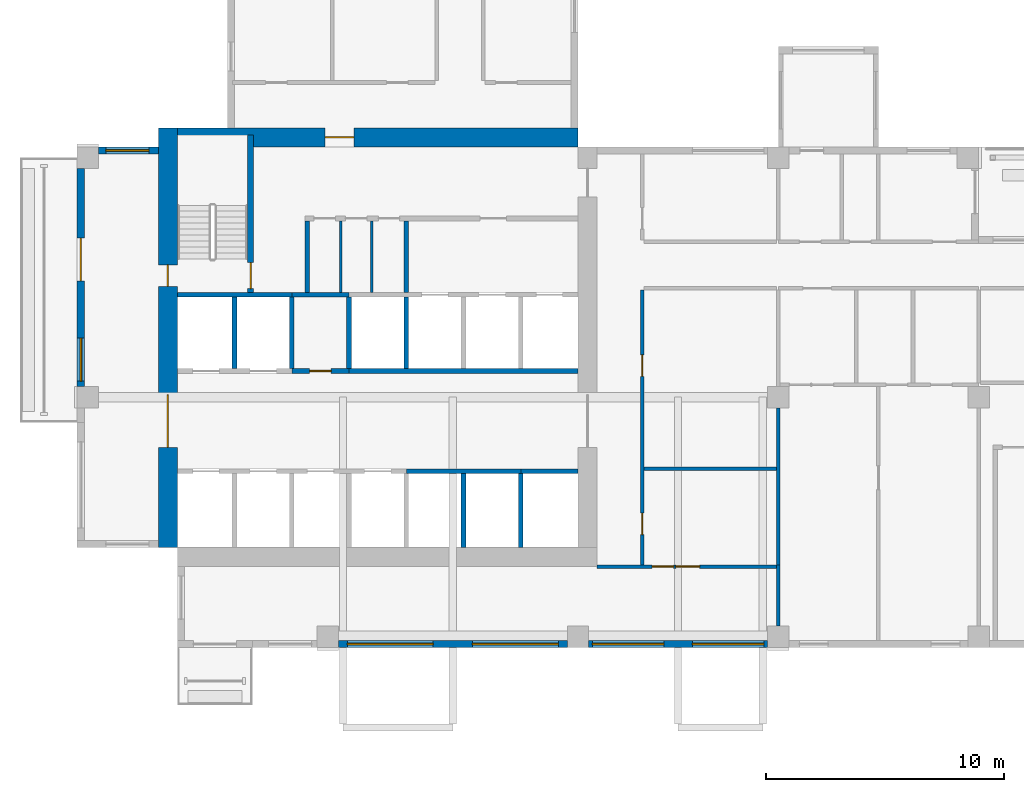
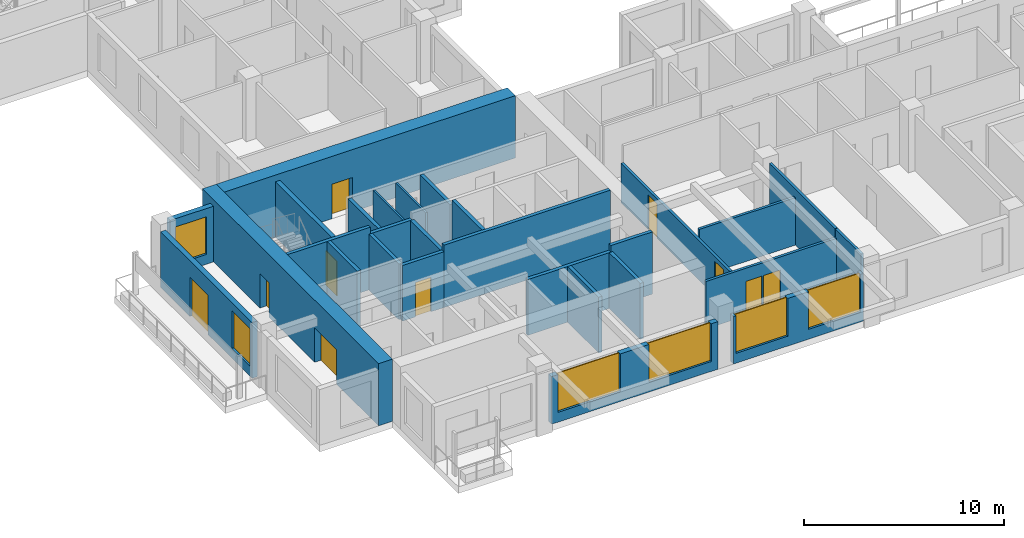
# One storey, part 4 of 15: 28 walls, 10 doors, 6 windows, 16 openings.
"""IFC4 building model written with IfcOpenShell, lengths in metres."""

from ifc_helpers import new_model, si_unit, direction, frame, frame_2d, origin, place, context, subcontext, project, spatial, rectangle, extrude, source, transform, mapped, material, layer, layer_set, type_object, element, fill, save


model = new_model("IFC4")

# Units and contexts
model_context = context("Model", 3, precision=1e-05, world=origin(), true_north=direction((0.0, 1.0)))
body_context = subcontext(model_context, "Body", "Model", "MODEL_VIEW")
ifc_project = project(units=[si_unit("LENGTHUNIT", "METRE"), si_unit("AREAUNIT", "SQUARE_METRE"), si_unit("VOLUMEUNIT", "CUBIC_METRE"), si_unit("PLANEANGLEUNIT", "RADIAN"), si_unit("MASSUNIT", "GRAM", prefix="KILO")], contexts=[model_context])

# Site, building, storey
site_placement = place(None, origin())
site = spatial("IfcSite", under=ifc_project, at=site_placement, CompositionType="ELEMENT")
building_placement = place(site_placement, origin())
building = spatial("IfcBuilding", under=site, at=building_placement, Name="Aurelian Terraces", CompositionType="ELEMENT")
storey_placement = place(building_placement, frame((0.0, 0.0, 177.8)))
storey = spatial("IfcBuildingStorey", under=building, at=storey_placement, Name="L38", CompositionType="ELEMENT", Elevation=177.8)

# Wall, openings, doors
ifc_material_1 = material(Name="Concrete fc' 70 MPa", Category="concrete")
ifc_layer_1 = layer(ifc_material_1, 0.8)
ifc_layer_set_1 = layer_set([ifc_layer_1], Name="CORE WALL 800 FC70")
wall_type_1 = type_object("IfcWallType", Name="CORE WALL 800 FC70", PredefinedType="SHEAR", material=ifc_layer_set_1)
wall_1_placement = place(storey_placement, frame((3.8, 4.2, 0.0), z_axis=(0.0, 0.0, 1.0), x_axis=(0.0, 1.0, 0.0)))
wall_1 = element("IfcWall", 1, at=wall_1_placement, inside=storey, type_object=wall_type_1, Name="Core wall W L38", PredefinedType="SHEAR", context=body_context, shape_type="SweptSolid", body=[
    extrude(rectangle(XDim=17.6, YDim=0.8, at=frame_2d((8.8, 0.0))), origin(), (0.0, 0.0, 1.0), 3.8),
])
shared_shape_1 = source(origin(), body_context, "Body", "SweptSolid", [
    extrude(rectangle(XDim=2.2, YDim=2.1, at=frame_2d((1.1, 1.05))), frame((0.0, 0.41, 0.0), z_axis=(0.0, -1.0, 0.0), x_axis=(1.0, 0.0, 0.0)), (0.0, 0.0, 1.0), 0.82),
])
opening_1_placement = place(wall_1_placement, frame((4.2, 0.0, 0.0)))
opening_1 = element("IfcOpeningElement", 2, at=opening_1_placement, cuts=wall_1, Name="Opening 64122", PredefinedType="OPENING", context=body_context, shape_type="MappedRepresentation", body=[
    mapped(shared_shape_1, transform((0.0, 0.0, 0.0), scale=1.0)),
])
opening_2_placement = place(wall_1_placement, frame((10.95, 0.0, 0.0)))
opening_2 = element("IfcOpeningElement", 3, at=opening_2_placement, cuts=wall_1, Name="Opening 64125", PredefinedType="OPENING", context=body_context, shape_type="SweptSolid", body=[
    extrude(rectangle(XDim=0.9, YDim=2.1, at=frame_2d((0.45, 1.05))), frame((0.0, 0.41, 0.0), z_axis=(0.0, -1.0, 0.0), x_axis=(1.0, 0.0, 0.0)), (0.0, 0.0, 1.0), 0.82),
])
ifc_material_2 = material(Name="Steel door leaf", Category="steel")
door_type_1 = type_object("IfcDoorType", Name="Core service door 900x2100 right", OperationType="SINGLE_SWING_RIGHT", PredefinedType="DOOR", material=ifc_material_2)
shared_shape_2 = source(origin(), body_context, "Body", "SweptSolid", [
    extrude(rectangle(XDim=0.9, YDim=2.1, at=frame_2d((0.45, 1.05))), frame((0.0, 0.025, 0.0), z_axis=(0.0, -1.0, 0.0), x_axis=(1.0, 0.0, 0.0)), (0.0, 0.0, 1.0), 0.05),
])
door_1_placement = place(opening_2_placement, origin())
door_1 = element("IfcDoor", 4, at=door_1_placement, inside=storey, type_object=door_type_1, Name="Core door 64125", OperationType="SINGLE_SWING_RIGHT", OverallHeight=2.1, OverallWidth=0.9, PredefinedType="DOOR", context=body_context, shape_type="MappedRepresentation", body=[
    mapped(shared_shape_2, transform((0.0, 0.0, 0.0), scale=1.0)),
])
fill(opening_2, door_1)
door_type_2 = type_object("IfcDoorType", Name="Core double door 2200x2100", OperationType="DOUBLE_DOOR_SINGLE_SWING", PredefinedType="DOOR", material=ifc_material_2)
shared_shape_3 = source(origin(), body_context, "Body", "SweptSolid", [
    extrude(rectangle(XDim=2.2, YDim=2.1, at=frame_2d((1.1, 1.05))), frame((0.0, 0.025, 0.0), z_axis=(0.0, -1.0, 0.0), x_axis=(1.0, 0.0, 0.0)), (0.0, 0.0, 1.0), 0.05),
])
door_2_placement = place(opening_1_placement, origin())
door_2 = element("IfcDoor", 5, at=door_2_placement, inside=storey, type_object=door_type_2, Name="Core door 64122", OperationType="DOUBLE_DOOR_SINGLE_SWING", OverallHeight=2.1, OverallWidth=2.2, PredefinedType="DOOR", context=body_context, shape_type="MappedRepresentation", body=[
    mapped(shared_shape_3, transform((0.0, 0.0, 0.0), scale=1.0)),
])
fill(opening_1, door_2)

# Walls
ifc_material_3 = material(Name="Gypsum board on steel studs", Category="steel")
ifc_layer_2 = layer(ifc_material_3, 0.1)
ifc_layer_set_2 = layer_set([ifc_layer_2], Name="Core partition 100")
wall_type_2 = type_object("IfcWallType", Name="Core partition 100", PredefinedType="PARTITIONING", material=ifc_layer_set_2)
wall_2_placement = place(storey_placement, frame((11.05, 14.9, 0.0), z_axis=(0.0, 0.0, 1.0), x_axis=(0.0, 1.0, 0.0)))
element("IfcWall", 6, at=wall_2_placement, inside=storey, type_object=wall_type_2, Name="L38 core wall CP-SV1", PredefinedType="PARTITIONING", context=body_context, shape_type="SweptSolid", body=[
    extrude(rectangle(XDim=3.0, YDim=0.1, at=frame_2d((1.5, 0.0))), origin(), (0.0, 0.0, 1.0), 3.4),
])
ifc_layer_3 = layer(ifc_material_3, 0.2)
ifc_layer_set_3 = layer_set([ifc_layer_3], Name="Core partition 200")
wall_type_3 = type_object("IfcWallType", Name="Core partition 200", PredefinedType="PARTITIONING", material=ifc_layer_set_3)
wall_3_placement = place(storey_placement, frame((9.65, 14.9, 0.0), z_axis=(0.0, 0.0, 1.0), x_axis=(0.0, 1.0, 0.0)))
element("IfcWall", 7, at=wall_3_placement, inside=storey, type_object=wall_type_3, Name="L38 core wall CP-VEST", PredefinedType="PARTITIONING", context=body_context, shape_type="SweptSolid", body=[
    extrude(rectangle(XDim=3.0, YDim=0.2, at=frame_2d((1.5, 0.0))), origin(), (0.0, 0.0, 1.0), 3.4),
])

# Wall, openings, windows
ifc_material_4 = material(Name="Terracotta rainscreen cladding", Category="masonry")
ifc_layer_4 = layer(ifc_material_4, 0.3)
ifc_layer_set_4 = layer_set([ifc_layer_4], Name="EW-300")
wall_type_4 = type_object("IfcWallType", Name="EW-300", PredefinedType="STANDARD", material=ifc_layer_set_4)
wall_4_placement = place(storey_placement, frame((10.95, 0.15, 0.0), z_axis=(0.0, 0.0, 1.0), x_axis=(1.0, 0.0, 0.0)))
wall_4 = element("IfcWall", 8, at=wall_4_placement, inside=storey, type_object=wall_type_4, Name="External wall L38 F01.3", PredefinedType="STANDARD", context=body_context, shape_type="SweptSolid", body=[
    extrude(rectangle(XDim=9.6, YDim=0.3, at=frame_2d((4.8, 0.0))), origin(), (0.0, 0.0, 1.0), 2.9),
])
opening_3_placement = place(wall_4_placement, frame((0.375, 0.0, 0.6)))
opening_3 = element("IfcOpeningElement", 9, at=opening_3_placement, cuts=wall_4, Name="Opening W3623", PredefinedType="OPENING", context=body_context, shape_type="SweptSolid", body=[
    extrude(rectangle(XDim=3.6, YDim=2.3, at=frame_2d((1.8, 1.15))), frame((0.0, 0.16, 0.0), z_axis=(0.0, -1.0, 0.0), x_axis=(1.0, 0.0, 0.0)), (0.0, 0.0, 1.0), 0.32),
])
shared_shape_4 = source(origin(), body_context, "Body", "SweptSolid", [
    extrude(rectangle(XDim=3.6, YDim=2.3, at=frame_2d((1.8, 1.15))), frame((0.0, 0.16, 0.0), z_axis=(0.0, -1.0, 0.0), x_axis=(1.0, 0.0, 0.0)), (0.0, 0.0, 1.0), 0.32),
])
opening_4_placement = place(wall_4_placement, frame((5.625, 0.0, 0.6)))
opening_4 = element("IfcOpeningElement", 10, at=opening_4_placement, cuts=wall_4, Name="Opening W3623", PredefinedType="OPENING", context=body_context, shape_type="MappedRepresentation", body=[
    mapped(shared_shape_4, transform((0.0, 0.0, 0.0), scale=1.0)),
])
ifc_material_5 = material(Name="Clear glazing", Category="glass")
window_type_1 = type_object("IfcWindowType", Name="W-3600x2300", PartitioningType="SINGLE_PANEL", PredefinedType="WINDOW", material=ifc_material_5)
window_1_placement = place(opening_3_placement, origin())
window_1 = element("IfcWindow", 11, at=window_1_placement, inside=storey, type_object=window_type_1, Name="Window L38 L38-F01-03-0", OverallHeight=2.3, OverallWidth=3.6, PartitioningType="SINGLE_PANEL", PredefinedType="WINDOW", context=body_context, shape_type="SweptSolid", body=[
    extrude(rectangle(XDim=3.6, YDim=2.3, at=frame_2d((1.8, 1.15))), frame((0.0, 0.03, 0.0), z_axis=(0.0, -1.0, 0.0), x_axis=(1.0, 0.0, 0.0)), (0.0, 0.0, 1.0), 0.06),
])
fill(opening_3, window_1)
shared_shape_5 = source(origin(), body_context, "Body", "SweptSolid", [
    extrude(rectangle(XDim=3.6, YDim=2.3, at=frame_2d((1.8, 1.15))), frame((0.0, 0.03, 0.0), z_axis=(0.0, -1.0, 0.0), x_axis=(1.0, 0.0, 0.0)), (0.0, 0.0, 1.0), 0.06),
])
window_2_placement = place(opening_4_placement, origin())
window_2 = element("IfcWindow", 12, at=window_2_placement, inside=storey, type_object=window_type_1, Name="Window L38 L38-F01-03-1", OverallHeight=2.3, OverallWidth=3.6, PartitioningType="SINGLE_PANEL", PredefinedType="WINDOW", context=body_context, shape_type="MappedRepresentation", body=[
    mapped(shared_shape_5, transform((0.0, 0.0, 0.0), scale=1.0)),
])
fill(opening_4, window_2)

wall_5_placement = place(storey_placement, frame((21.45, 0.15, 0.0), z_axis=(0.0, 0.0, 1.0), x_axis=(1.0, 0.0, 0.0)))
wall_5 = element("IfcWall", 13, at=wall_5_placement, inside=storey, type_object=wall_type_4, Name="External wall L38 F01.4", PredefinedType="STANDARD", context=body_context, shape_type="SweptSolid", body=[
    extrude(rectangle(XDim=7.5, YDim=0.3, at=frame_2d((3.75, 0.0))), origin(), (0.0, 0.0, 1.0), 2.9),
])
opening_5_placement = place(wall_5_placement, frame((0.15, 0.0, 0.6)))
opening_5 = element("IfcOpeningElement", 14, at=opening_5_placement, cuts=wall_5, Name="Opening W3023", PredefinedType="OPENING", context=body_context, shape_type="SweptSolid", body=[
    extrude(rectangle(XDim=3.0, YDim=2.3, at=frame_2d((1.5, 1.15))), frame((0.0, 0.16, 0.0), z_axis=(0.0, -1.0, 0.0), x_axis=(1.0, 0.0, 0.0)), (0.0, 0.0, 1.0), 0.32),
])
shared_shape_6 = source(origin(), body_context, "Body", "SweptSolid", [
    extrude(rectangle(XDim=3.0, YDim=2.3, at=frame_2d((1.5, 1.15))), frame((0.0, 0.16, 0.0), z_axis=(0.0, -1.0, 0.0), x_axis=(1.0, 0.0, 0.0)), (0.0, 0.0, 1.0), 0.32),
])
opening_6_placement = place(wall_5_placement, frame((4.35, 0.0, 0.6)))
opening_6 = element("IfcOpeningElement", 15, at=opening_6_placement, cuts=wall_5, Name="Opening W3023", PredefinedType="OPENING", context=body_context, shape_type="MappedRepresentation", body=[
    mapped(shared_shape_6, transform((0.0, 0.0, 0.0), scale=1.0)),
])
window_type_2 = type_object("IfcWindowType", Name="W-3000x2300", PartitioningType="SINGLE_PANEL", PredefinedType="WINDOW", material=ifc_material_5)
window_3_placement = place(opening_5_placement, origin())
window_3 = element("IfcWindow", 16, at=window_3_placement, inside=storey, type_object=window_type_2, Name="Window L38 L38-F01-04-0", OverallHeight=2.3, OverallWidth=3.0, PartitioningType="SINGLE_PANEL", PredefinedType="WINDOW", context=body_context, shape_type="SweptSolid", body=[
    extrude(rectangle(XDim=3.0, YDim=2.3, at=frame_2d((1.5, 1.15))), frame((0.0, 0.03, 0.0), z_axis=(0.0, -1.0, 0.0), x_axis=(1.0, 0.0, 0.0)), (0.0, 0.0, 1.0), 0.06),
])
fill(opening_5, window_3)
shared_shape_7 = source(origin(), body_context, "Body", "SweptSolid", [
    extrude(rectangle(XDim=3.0, YDim=2.3, at=frame_2d((1.5, 1.15))), frame((0.0, 0.03, 0.0), z_axis=(0.0, -1.0, 0.0), x_axis=(1.0, 0.0, 0.0)), (0.0, 0.0, 1.0), 0.06),
])
window_4_placement = place(opening_6_placement, origin())
window_4 = element("IfcWindow", 17, at=window_4_placement, inside=storey, type_object=window_type_2, Name="Window L38 L38-F01-04-1", OverallHeight=2.3, OverallWidth=3.0, PartitioningType="SINGLE_PANEL", PredefinedType="WINDOW", context=body_context, shape_type="MappedRepresentation", body=[
    mapped(shared_shape_7, transform((0.0, 0.0, 0.0), scale=1.0)),
])
fill(opening_6, window_4)

# Wall, opening, window
wall_6_placement = place(storey_placement, frame((3.4, 20.85, 0.0), z_axis=(0.0, 0.0, 1.0), x_axis=(-1.0, 0.0, 0.0)))
wall_6 = element("IfcWall", 18, at=wall_6_placement, inside=storey, type_object=wall_type_4, Name="External wall L38 F19.34", PredefinedType="STANDARD", context=body_context, shape_type="SweptSolid", body=[
    extrude(rectangle(XDim=2.5, YDim=0.3, at=frame_2d((1.25, 0.0))), origin(), (0.0, 0.0, 1.0), 3.4),
])
shared_shape_8 = source(origin(), body_context, "Body", "SweptSolid", [
    extrude(rectangle(XDim=1.8, YDim=2.3, at=frame_2d((0.9, 1.15))), frame((0.0, 0.16, 0.0), z_axis=(0.0, -1.0, 0.0), x_axis=(1.0, 0.0, 0.0)), (0.0, 0.0, 1.0), 0.32),
])
opening_7_placement = place(wall_6_placement, frame((0.4, 0.0, 0.6)))
opening_7 = element("IfcOpeningElement", 19, at=opening_7_placement, cuts=wall_6, Name="Opening W1823", PredefinedType="OPENING", context=body_context, shape_type="MappedRepresentation", body=[
    mapped(shared_shape_8, transform((0.0, 0.0, 0.0), scale=1.0)),
])
window_type_3 = type_object("IfcWindowType", Name="W-1800x2300", PartitioningType="SINGLE_PANEL", PredefinedType="WINDOW", material=ifc_material_5)
shared_shape_9 = source(origin(), body_context, "Body", "SweptSolid", [
    extrude(rectangle(XDim=1.8, YDim=2.3, at=frame_2d((0.9, 1.15))), frame((0.0, 0.03, 0.0), z_axis=(0.0, -1.0, 0.0), x_axis=(1.0, 0.0, 0.0)), (0.0, 0.0, 1.0), 0.06),
])
window_5_placement = place(opening_7_placement, origin())
window_5 = element("IfcWindow", 20, at=window_5_placement, inside=storey, type_object=window_type_3, Name="Window L38 L38-F19-34-0", OverallHeight=2.3, OverallWidth=1.8, PartitioningType="SINGLE_PANEL", PredefinedType="WINDOW", context=body_context, shape_type="MappedRepresentation", body=[
    mapped(shared_shape_9, transform((0.0, 0.0, 0.0), scale=1.0)),
])
fill(opening_7, window_5)

# Wall, openings, door, window
wall_7_placement = place(storey_placement, frame((0.15, 20.1, 0.0), z_axis=(0.0, 0.0, 1.0), x_axis=(0.0, -1.0, 0.0)))
wall_7 = element("IfcWall", 21, at=wall_7_placement, inside=storey, type_object=wall_type_4, Name="External wall L38 F20.35", PredefinedType="STANDARD", context=body_context, shape_type="SweptSolid", body=[
    extrude(rectangle(XDim=9.15, YDim=0.3, at=frame_2d((4.575, 0.0))), origin(), (0.0, 0.0, 1.0), 3.4),
])
shared_shape_10 = source(origin(), body_context, "Body", "SweptSolid", [
    extrude(rectangle(XDim=1.8, YDim=2.4, at=frame_2d((0.9, 1.2))), frame((0.0, 0.16, 0.0), z_axis=(0.0, -1.0, 0.0), x_axis=(1.0, 0.0, 0.0)), (0.0, 0.0, 1.0), 0.32),
])
opening_8_placement = place(wall_7_placement, frame((2.925, 0.0, 0.0)))
opening_8 = element("IfcOpeningElement", 22, at=opening_8_placement, cuts=wall_7, Name="Opening 83812", PredefinedType="OPENING", context=body_context, shape_type="MappedRepresentation", body=[
    mapped(shared_shape_10, transform((0.0, 0.0, 0.0), scale=1.0)),
])
opening_9_placement = place(wall_7_placement, frame((7.125, 0.0, 0.6)))
opening_9 = element("IfcOpeningElement", 23, at=opening_9_placement, cuts=wall_7, Name="Opening W1823", PredefinedType="OPENING", context=body_context, shape_type="MappedRepresentation", body=[
    mapped(shared_shape_8, transform((0.0, 0.0, 0.0), scale=1.0)),
])
door_type_3 = type_object("IfcDoorType", Name="BD-1800x2400", OperationType="SLIDING_TO_LEFT", PredefinedType="DOOR", material=ifc_material_5)
shared_shape_11 = source(origin(), body_context, "Body", "SweptSolid", [
    extrude(rectangle(XDim=1.8, YDim=2.4, at=frame_2d((0.9, 1.2))), frame((0.0, 0.025, 0.0), z_axis=(0.0, -1.0, 0.0), x_axis=(1.0, 0.0, 0.0)), (0.0, 0.0, 1.0), 0.05),
])
door_3_placement = place(opening_8_placement, origin())
door_3 = element("IfcDoor", 24, at=door_3_placement, inside=storey, type_object=door_type_3, Name="Balcony door L38 F20.35", OperationType="SLIDING_TO_LEFT", OverallHeight=2.4, OverallWidth=1.8, PredefinedType="DOOR", context=body_context, shape_type="MappedRepresentation", body=[
    mapped(shared_shape_11, transform((0.0, 0.0, 0.0), scale=1.0)),
])
fill(opening_8, door_3)
window_6_placement = place(opening_9_placement, origin())
window_6 = element("IfcWindow", 25, at=window_6_placement, inside=storey, type_object=window_type_3, Name="Window L38 L38-F20-35-2", OverallHeight=2.3, OverallWidth=1.8, PartitioningType="SINGLE_PANEL", PredefinedType="WINDOW", context=body_context, shape_type="MappedRepresentation", body=[
    mapped(shared_shape_9, transform((0.0, 0.0, 0.0), scale=1.0)),
])
fill(opening_9, window_6)

# Walls
ifc_layer_5 = layer(ifc_material_3, 0.15)
ifc_layer_set_5 = layer_set([ifc_layer_5], Name="Fire partition 150")
wall_type_5 = type_object("IfcWallType", Name="Fire partition 150", PredefinedType="PARTITIONING", material=ifc_layer_set_5)
wall_8_placement = place(storey_placement, frame((29.4, 0.899, 0.0), z_axis=(0.0, 0.0, 1.0), x_axis=(0.0, 1.0, 0.0)))
element("IfcWall", 26, at=wall_8_placement, inside=storey, type_object=wall_type_5, Name="Party wall", PredefinedType="PARTITIONING", context=body_context, shape_type="SweptSolid", body=[
    extrude(rectangle(XDim=2.556, YDim=0.15, at=frame_2d((1.278, 0.0))), origin(), (0.0, 0.0, 1.0), 3.4),
])
ifc_material_6 = material(Name="Concrete fc' 40 MPa", Category="concrete")
ifc_layer_6 = layer(ifc_material_6, 0.2)
ifc_layer_set_6 = layer_set([ifc_layer_6], Name="Lift shaft wall 200")
wall_type_6 = type_object("IfcWallType", Name="Lift shaft wall 200", PredefinedType="SOLIDWALL", material=ifc_layer_set_6)
wall_9_placement = place(storey_placement, frame((6.6, 11.7, 0.0), z_axis=(0.0, 0.0, 1.0), x_axis=(0.0, 1.0, 0.0)))
element("IfcWall", 27, at=wall_9_placement, inside=storey, type_object=wall_type_6, Name="L38 core wall CD-B1", PredefinedType="SOLIDWALL", context=body_context, shape_type="SweptSolid", body=[
    extrude(rectangle(XDim=3.0, YDim=0.2, at=frame_2d((1.5, 0.0))), origin(), (0.0, 0.0, 1.0), 3.8),
])
wall_10_placement = place(storey_placement, frame((9.0, 11.7, 0.0), z_axis=(0.0, 0.0, 1.0), x_axis=(0.0, 1.0, 0.0)))
element("IfcWall", 28, at=wall_10_placement, inside=storey, type_object=wall_type_6, Name="L38 core wall CD-B2", PredefinedType="SOLIDWALL", context=body_context, shape_type="SweptSolid", body=[
    extrude(rectangle(XDim=3.0, YDim=0.2, at=frame_2d((1.5, 0.0))), origin(), (0.0, 0.0, 1.0), 3.4),
])
wall_11_placement = place(storey_placement, frame((13.8, 7.4, 0.0), z_axis=(0.0, 0.0, 1.0), x_axis=(1.0, 0.0, 0.0)))
element("IfcWall", 29, at=wall_11_placement, inside=storey, type_object=wall_type_6, Name="L38 core wall CF-AF2", PredefinedType="SOLIDWALL", context=body_context, shape_type="SweptSolid", body=[
    extrude(rectangle(XDim=4.8, YDim=0.2, at=frame_2d((2.4, 0.0))), origin(), (0.0, 0.0, 1.0), 3.4),
])
wall_12_placement = place(storey_placement, frame((18.6, 7.4, 0.0), z_axis=(0.0, 0.0, 1.0), x_axis=(1.0, 0.0, 0.0)))
element("IfcWall", 30, at=wall_12_placement, inside=storey, type_object=wall_type_6, Name="L38 core wall CF-AF3", PredefinedType="SOLIDWALL", context=body_context, shape_type="SweptSolid", body=[
    extrude(rectangle(XDim=2.4, YDim=0.2, at=frame_2d((1.2, 0.0))), origin(), (0.0, 0.0, 1.0), 3.8),
])

# Wall, opening, door
wall_13_placement = place(storey_placement, frame((9.0, 11.6, 0.0), z_axis=(0.0, 0.0, 1.0), x_axis=(1.0, 0.0, 0.0)))
wall_13 = element("IfcWall", 31, at=wall_13_placement, inside=storey, type_object=wall_type_6, Name="L38 core wall CF-BF2", PredefinedType="SOLIDWALL", context=body_context, shape_type="SweptSolid", body=[
    extrude(rectangle(XDim=2.4, YDim=0.2, at=frame_2d((1.2, 0.0))), origin(), (0.0, 0.0, 1.0), 3.4),
])
shared_shape_12 = source(origin(), body_context, "Body", "SweptSolid", [
    extrude(rectangle(XDim=0.9, YDim=2.1, at=frame_2d((0.45, 1.05))), frame((0.0, 0.11, 0.0), z_axis=(0.0, -1.0, 0.0), x_axis=(1.0, 0.0, 0.0)), (0.0, 0.0, 1.0), 0.22),
])
opening_10_placement = place(wall_13_placement, frame((0.75, 0.0, 0.0)))
opening_10 = element("IfcOpeningElement", 32, at=opening_10_placement, cuts=wall_13, Name="Opening 64106", PredefinedType="OPENING", context=body_context, shape_type="MappedRepresentation", body=[
    mapped(shared_shape_12, transform((0.0, 0.0, 0.0), scale=1.0)),
])
door_4_placement = place(opening_10_placement, origin())
door_4 = element("IfcDoor", 33, at=door_4_placement, inside=storey, type_object=door_type_1, Name="Room door 64106", OperationType="SINGLE_SWING_RIGHT", OverallHeight=2.1, OverallWidth=0.9, PredefinedType="DOOR", context=body_context, shape_type="MappedRepresentation", body=[
    mapped(shared_shape_2, transform((0.0, 0.0, 0.0), scale=1.0)),
])
fill(opening_10, door_4)

# Wall, openings, doors
ifc_layer_7 = layer(ifc_material_3, 0.15)
ifc_layer_set_7 = layer_set([ifc_layer_7], Name="Partition 150")
wall_type_7 = type_object("IfcWallType", Name="Partition 150", PredefinedType="PARTITIONING", material=ifc_layer_set_7)
wall_14_placement = place(storey_placement, frame((23.7, 15.0, 0.0), z_axis=(0.0, 0.0, 1.0), x_axis=(0.0, -1.0, 0.0)))
wall_14 = element("IfcWall", 34, at=wall_14_placement, inside=storey, type_object=wall_type_7, Name="Partition", PredefinedType="PARTITIONING", context=body_context, shape_type="SweptSolid", body=[
    extrude(rectangle(XDim=11.525, YDim=0.15, at=frame_2d((5.7625, 0.0))), origin(), (0.0, 0.0, 1.0), 2.4),
])
shared_shape_13 = source(origin(), body_context, "Body", "SweptSolid", [
    extrude(rectangle(XDim=0.9, YDim=2.1, at=frame_2d((0.45, 1.05))), frame((0.0, 0.085, 0.0), z_axis=(0.0, -1.0, 0.0), x_axis=(1.0, 0.0, 0.0)), (0.0, 0.0, 1.0), 0.17),
])
opening_11_placement = place(wall_14_placement, frame((9.3625, 0.0, 0.0)))
opening_11 = element("IfcOpeningElement", 35, at=opening_11_placement, cuts=wall_14, Name="Opening 738001", PredefinedType="OPENING", context=body_context, shape_type="MappedRepresentation", body=[
    mapped(shared_shape_13, transform((0.0, 0.0, 0.0), scale=1.0)),
])
opening_12_placement = place(wall_14_placement, frame((2.725, 0.0, 0.0)))
opening_12 = element("IfcOpeningElement", 36, at=opening_12_placement, cuts=wall_14, Name="Opening 738002", PredefinedType="OPENING", context=body_context, shape_type="MappedRepresentation", body=[
    mapped(shared_shape_13, transform((0.0, 0.0, 0.0), scale=1.0)),
])
ifc_material_7 = material(Name="Timber door leaf", Category="wood")
door_type_4 = type_object("IfcDoorType", Name="Room door 900x2100 left", OperationType="SINGLE_SWING_LEFT", PredefinedType="DOOR", material=ifc_material_7)
door_5_placement = place(opening_11_placement, origin())
door_5 = element("IfcDoor", 37, at=door_5_placement, inside=storey, type_object=door_type_4, Name="Door 738001", OperationType="SINGLE_SWING_LEFT", OverallHeight=2.1, OverallWidth=0.9, PredefinedType="DOOR", context=body_context, shape_type="MappedRepresentation", body=[
    mapped(shared_shape_2, transform((0.0, 0.0, 0.0), scale=1.0)),
])
fill(opening_11, door_5)
door_type_5 = type_object("IfcDoorType", Name="Room door 900x2100 right", OperationType="SINGLE_SWING_RIGHT", PredefinedType="DOOR", material=ifc_material_7)
door_6_placement = place(opening_12_placement, origin())
door_6 = element("IfcDoor", 38, at=door_6_placement, inside=storey, type_object=door_type_5, Name="Door 738002", OperationType="SINGLE_SWING_RIGHT", OverallHeight=2.1, OverallWidth=0.9, PredefinedType="DOOR", context=body_context, shape_type="MappedRepresentation", body=[
    mapped(shared_shape_2, transform((0.0, 0.0, 0.0), scale=1.0)),
])
fill(opening_12, door_6)

# Walls
wall_15_placement = place(storey_placement, frame((29.325, 7.5, 0.0), z_axis=(0.0, 0.0, 1.0), x_axis=(-1.0, 0.0, 0.0)))
element("IfcWall", 39, at=wall_15_placement, inside=storey, type_object=wall_type_7, Name="Partition", PredefinedType="PARTITIONING", context=body_context, shape_type="SweptSolid", body=[
    extrude(rectangle(XDim=5.55, YDim=0.15, at=frame_2d((2.775, 0.0))), origin(), (0.0, 0.0, 1.0), 2.9),
])
wall_16_placement = place(storey_placement, frame((29.4, 3.475, 0.0), z_axis=(0.0, 0.0, 1.0), x_axis=(0.0, 1.0, 0.0)))
element("IfcWall", 40, at=wall_16_placement, inside=storey, type_object=wall_type_7, Name="Partition", PredefinedType="PARTITIONING", context=body_context, shape_type="SweptSolid", body=[
    extrude(rectangle(XDim=6.576, YDim=0.15, at=frame_2d((3.288, 0.0))), origin(), (0.0, 0.0, 1.0), 3.4),
])

# Wall, openings, doors
wall_17_placement = place(storey_placement, frame((21.8, 3.4, 0.0), z_axis=(0.0, 0.0, 1.0), x_axis=(1.0, 0.0, 0.0)))
wall_17 = element("IfcWall", 41, at=wall_17_placement, inside=storey, type_object=wall_type_7, Name="Partition", PredefinedType="PARTITIONING", context=body_context, shape_type="SweptSolid", body=[
    extrude(rectangle(XDim=7.525, YDim=0.15, at=frame_2d((3.7625, 0.0))), origin(), (0.0, 0.0, 1.0), 2.9),
])
shared_shape_14 = source(origin(), body_context, "Body", "SweptSolid", [
    extrude(rectangle(XDim=1.0, YDim=2.1, at=frame_2d((0.5, 1.05))), frame((0.0, 0.085, 0.0), z_axis=(0.0, -1.0, 0.0), x_axis=(1.0, 0.0, 0.0)), (0.0, 0.0, 1.0), 0.17),
])
opening_13_placement = place(wall_17_placement, frame((3.3, 0.0, 0.0)))
opening_13 = element("IfcOpeningElement", 42, at=opening_13_placement, cuts=wall_17, Name="Opening 738004", PredefinedType="OPENING", context=body_context, shape_type="MappedRepresentation", body=[
    mapped(shared_shape_14, transform((0.0, 0.0, 0.0), scale=1.0)),
])
opening_14_placement = place(wall_17_placement, frame((2.312, 0.0, 0.0)))
opening_14 = element("IfcOpeningElement", 43, at=opening_14_placement, cuts=wall_17, Name="Opening 738042", PredefinedType="OPENING", context=body_context, shape_type="MappedRepresentation", body=[
    mapped(shared_shape_13, transform((0.0, 0.0, 0.0), scale=1.0)),
])
door_type_6 = type_object("IfcDoorType", Name="Room door 1000x2100 right", OperationType="SINGLE_SWING_RIGHT", PredefinedType="DOOR", material=ifc_material_7)
shared_shape_15 = source(origin(), body_context, "Body", "SweptSolid", [
    extrude(rectangle(XDim=1.0, YDim=2.1, at=frame_2d((0.5, 1.05))), frame((0.0, 0.025, 0.0), z_axis=(0.0, -1.0, 0.0), x_axis=(1.0, 0.0, 0.0)), (0.0, 0.0, 1.0), 0.05),
])
door_7_placement = place(opening_13_placement, origin())
door_7 = element("IfcDoor", 44, at=door_7_placement, inside=storey, type_object=door_type_6, Name="Door 738004", OperationType="SINGLE_SWING_RIGHT", OverallHeight=2.1, OverallWidth=1.0, PredefinedType="DOOR", context=body_context, shape_type="MappedRepresentation", body=[
    mapped(shared_shape_15, transform((0.0, 0.0, 0.0), scale=1.0)),
])
fill(opening_13, door_7)
door_8_placement = place(opening_14_placement, origin())
door_8 = element("IfcDoor", 45, at=door_8_placement, inside=storey, type_object=door_type_4, Name="Door 738042", OperationType="SINGLE_SWING_LEFT", OverallHeight=2.1, OverallWidth=0.9, PredefinedType="DOOR", context=body_context, shape_type="MappedRepresentation", body=[
    mapped(shared_shape_2, transform((0.0, 0.0, 0.0), scale=1.0)),
])
fill(opening_14, door_8)

# Wall, opening, door
ifc_layer_8 = layer(ifc_material_6, 0.25)
ifc_layer_set_8 = layer_set([ifc_layer_8], Name="Stair enclosure wall 250")
wall_type_8 = type_object("IfcWallType", Name="Stair enclosure wall 250", PredefinedType="SOLIDWALL", material=ifc_layer_set_8)
wall_18_placement = place(storey_placement, frame((7.275, 14.9, 0.0), z_axis=(0.0, 0.0, 1.0), x_axis=(0.0, 1.0, 0.0)))
wall_18 = element("IfcWall", 46, at=wall_18_placement, inside=storey, type_object=wall_type_8, Name="L38 core wall ST-S1-E", PredefinedType="SOLIDWALL", context=body_context, shape_type="SweptSolid", body=[
    extrude(rectangle(XDim=6.6, YDim=0.25, at=frame_2d((3.3, 0.0))), origin(), (0.0, 0.0, 1.0), 3.4),
])
shared_shape_16 = source(origin(), body_context, "Body", "SweptSolid", [
    extrude(rectangle(XDim=1.1, YDim=2.1, at=frame_2d((0.55, 1.05))), frame((0.0, 0.135, 0.0), z_axis=(0.0, -1.0, 0.0), x_axis=(1.0, 0.0, 0.0)), (0.0, 0.0, 1.0), 0.27),
])
opening_15_placement = place(wall_18_placement, frame((0.15, 0.0, 0.0)))
opening_15 = element("IfcOpeningElement", 47, at=opening_15_placement, cuts=wall_18, Name="Opening 64110", PredefinedType="OPENING", context=body_context, shape_type="MappedRepresentation", body=[
    mapped(shared_shape_16, transform((0.0, 0.0, 0.0), scale=1.0)),
])
door_type_7 = type_object("IfcDoorType", Name="Core fire door 1100x2100 right", OperationType="SINGLE_SWING_RIGHT", PredefinedType="DOOR", material=ifc_material_2)
shared_shape_17 = source(origin(), body_context, "Body", "SweptSolid", [
    extrude(rectangle(XDim=1.1, YDim=2.1, at=frame_2d((0.55, 1.05))), frame((0.0, 0.025, 0.0), z_axis=(0.0, -1.0, 0.0), x_axis=(1.0, 0.0, 0.0)), (0.0, 0.0, 1.0), 0.05),
])
door_9_placement = place(opening_15_placement, origin())
door_9 = element("IfcDoor", 48, at=door_9_placement, inside=storey, type_object=door_type_7, Name="Stair door 64110", OperationType="SINGLE_SWING_RIGHT", OverallHeight=2.1, OverallWidth=1.1, PredefinedType="DOOR", context=body_context, shape_type="MappedRepresentation", body=[
    mapped(shared_shape_17, transform((0.0, 0.0, 0.0), scale=1.0)),
])
fill(opening_15, door_9)

shared_shape_18 = source(origin(), body_context, "Body", "SweptSolid", [
    extrude(rectangle(XDim=16.8, YDim=0.8, at=frame_2d((8.4, 0.0))), origin(), (0.0, 0.0, 1.0), 3.8),
])
wall_19_placement = place(storey_placement, frame((4.2, 21.4, 0.0), z_axis=(0.0, 0.0, 1.0), x_axis=(1.0, 0.0, 0.0)))
wall_19 = element("IfcWall", 49, at=wall_19_placement, inside=storey, type_object=wall_type_1, Name="Core wall N L38", PredefinedType="SHEAR", context=body_context, shape_type="MappedRepresentation", body=[
    mapped(shared_shape_18, transform((0.0, 0.0, 0.0), scale=1.0)),
])
opening_16_placement = place(wall_19_placement, frame((6.2, 0.0, 0.0)))
opening_16 = element("IfcOpeningElement", 50, at=opening_16_placement, cuts=wall_19, Name="Opening 64123", PredefinedType="OPENING", context=body_context, shape_type="SweptSolid", body=[
    extrude(rectangle(XDim=1.2, YDim=2.1, at=frame_2d((0.6, 1.05))), frame((0.0, 0.41, 0.0), z_axis=(0.0, -1.0, 0.0), x_axis=(1.0, 0.0, 0.0)), (0.0, 0.0, 1.0), 0.82),
])
door_type_8 = type_object("IfcDoorType", Name="Core fire door 1200x2100 right", OperationType="SINGLE_SWING_RIGHT", PredefinedType="DOOR", material=ifc_material_2)
shared_shape_19 = source(origin(), body_context, "Body", "SweptSolid", [
    extrude(rectangle(XDim=1.2, YDim=2.1, at=frame_2d((0.6, 1.05))), frame((0.0, 0.025, 0.0), z_axis=(0.0, -1.0, 0.0), x_axis=(1.0, 0.0, 0.0)), (0.0, 0.0, 1.0), 0.05),
])
door_10_placement = place(opening_16_placement, origin())
door_10 = element("IfcDoor", 51, at=door_10_placement, inside=storey, type_object=door_type_8, Name="Core door 64123", OperationType="SINGLE_SWING_RIGHT", OverallHeight=2.1, OverallWidth=1.2, PredefinedType="DOOR", context=body_context, shape_type="MappedRepresentation", body=[
    mapped(shared_shape_19, transform((0.0, 0.0, 0.0), scale=1.0)),
])
fill(opening_16, door_10)

# Walls
shared_shape_20 = source(origin(), body_context, "Body", "SweptSolid", [
    extrude(rectangle(XDim=3.1, YDim=0.2, at=frame_2d((1.55, 0.0))), origin(), (0.0, 0.0, 1.0), 3.4),
])
for number, where, z_axis, x_axis, name in (
    (52, (16.2, 4.2, 0.0), (0.0, 0.0, 1.0), (0.0, 1.0, 0.0), "L38 core wall CD-A5"),
    (53, (18.6, 4.2, 0.0), (0.0, 0.0, 1.0), (0.0, 1.0, 0.0), "L38 core wall CD-A6"),
):
    element("IfcWall", number, at=place(storey_placement, frame(where, z_axis=z_axis, x_axis=x_axis)), inside=storey, type_object=wall_type_6, Name=name, PredefinedType="SOLIDWALL", context=body_context, shape_type="MappedRepresentation", body=[
        mapped(shared_shape_20, transform((0.0, 0.0, 0.0), scale=1.0)),
    ])
shared_shape_21 = source(origin(), body_context, "Body", "SweptSolid", [
    extrude(rectangle(XDim=3.0, YDim=0.2, at=frame_2d((1.5, 0.0))), origin(), (0.0, 0.0, 1.0), 3.4),
])
wall_20_placement = place(storey_placement, frame((11.4, 11.7, 0.0), z_axis=(0.0, 0.0, 1.0), x_axis=(0.0, 1.0, 0.0)))
element("IfcWall", 54, at=wall_20_placement, inside=storey, type_object=wall_type_6, Name="L38 core wall CD-B3", PredefinedType="SOLIDWALL", context=body_context, shape_type="MappedRepresentation", body=[
    mapped(shared_shape_21, transform((0.0, 0.0, 0.0), scale=1.0)),
])
shared_shape_22 = source(origin(), body_context, "Body", "SweptSolid", [
    extrude(rectangle(XDim=3.0, YDim=0.2, at=frame_2d((1.5, 0.0))), origin(), (0.0, 0.0, 1.0), 3.8),
])
wall_21_placement = place(storey_placement, frame((13.8, 11.7, 0.0), z_axis=(0.0, 0.0, 1.0), x_axis=(0.0, 1.0, 0.0)))
element("IfcWall", 55, at=wall_21_placement, inside=storey, type_object=wall_type_6, Name="L38 core wall CD-B4", PredefinedType="SOLIDWALL", context=body_context, shape_type="MappedRepresentation", body=[
    mapped(shared_shape_22, transform((0.0, 0.0, 0.0), scale=1.0)),
])
shared_shape_23 = source(origin(), body_context, "Body", "SweptSolid", [
    extrude(rectangle(XDim=9.6, YDim=0.2, at=frame_2d((4.8, 0.0))), origin(), (0.0, 0.0, 1.0), 3.8),
])
wall_22_placement = place(storey_placement, frame((11.4, 11.6, 0.0), z_axis=(0.0, 0.0, 1.0), x_axis=(1.0, 0.0, 0.0)))
element("IfcWall", 56, at=wall_22_placement, inside=storey, type_object=wall_type_6, Name="L38 core wall CF-BF3", PredefinedType="SOLIDWALL", context=body_context, shape_type="MappedRepresentation", body=[
    mapped(shared_shape_23, transform((0.0, 0.0, 0.0), scale=1.0)),
])
shared_shape_24 = source(origin(), body_context, "Body", "SweptSolid", [
    extrude(rectangle(XDim=4.8, YDim=0.2, at=frame_2d((2.4, 0.0))), origin(), (0.0, 0.0, 1.0), 3.8),
])
wall_23_placement = place(storey_placement, frame((4.2, 14.8, 0.0), z_axis=(0.0, 0.0, 1.0), x_axis=(1.0, 0.0, 0.0)))
element("IfcWall", 57, at=wall_23_placement, inside=storey, type_object=wall_type_6, Name="L38 core wall CF-BB1", PredefinedType="SOLIDWALL", context=body_context, shape_type="MappedRepresentation", body=[
    mapped(shared_shape_24, transform((0.0, 0.0, 0.0), scale=1.0)),
])
shared_shape_25 = source(origin(), body_context, "Body", "SweptSolid", [
    extrude(rectangle(XDim=2.4, YDim=0.2, at=frame_2d((1.2, 0.0))), origin(), (0.0, 0.0, 1.0), 3.4),
])
wall_24_placement = place(storey_placement, frame((9.0, 14.8, 0.0), z_axis=(0.0, 0.0, 1.0), x_axis=(1.0, 0.0, 0.0)))
element("IfcWall", 58, at=wall_24_placement, inside=storey, type_object=wall_type_6, Name="L38 core wall CF-BB2", PredefinedType="SOLIDWALL", context=body_context, shape_type="MappedRepresentation", body=[
    mapped(shared_shape_25, transform((0.0, 0.0, 0.0), scale=1.0)),
])
shared_shape_26 = source(origin(), body_context, "Body", "SweptSolid", [
    extrude(rectangle(XDim=3.0, YDim=0.2, at=frame_2d((1.5, 0.0))), origin(), (0.0, 0.0, 1.0), 3.4),
])
wall_25_placement = place(storey_placement, frame((13.8, 14.9, 0.0), z_axis=(0.0, 0.0, 1.0), x_axis=(0.0, 1.0, 0.0)))
element("IfcWall", 59, at=wall_25_placement, inside=storey, type_object=wall_type_3, Name="L38 core wall CP-FFL", PredefinedType="PARTITIONING", context=body_context, shape_type="MappedRepresentation", body=[
    mapped(shared_shape_26, transform((0.0, 0.0, 0.0), scale=1.0)),
])
shared_shape_27 = source(origin(), body_context, "Body", "SweptSolid", [
    extrude(rectangle(XDim=3.0, YDim=0.1, at=frame_2d((1.5, 0.0))), origin(), (0.0, 0.0, 1.0), 3.4),
])
wall_26_placement = place(storey_placement, frame((12.35, 14.9, 0.0), z_axis=(0.0, 0.0, 1.0), x_axis=(0.0, 1.0, 0.0)))
element("IfcWall", 60, at=wall_26_placement, inside=storey, type_object=wall_type_2, Name="L38 core wall CP-SV2", PredefinedType="PARTITIONING", context=body_context, shape_type="MappedRepresentation", body=[
    mapped(shared_shape_27, transform((0.0, 0.0, 0.0), scale=1.0)),
])

save(model, "model.ifc")
